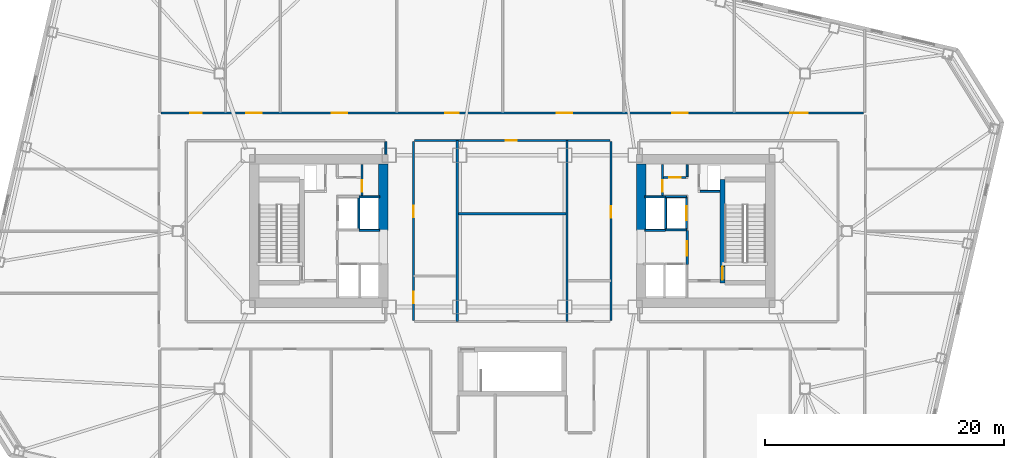
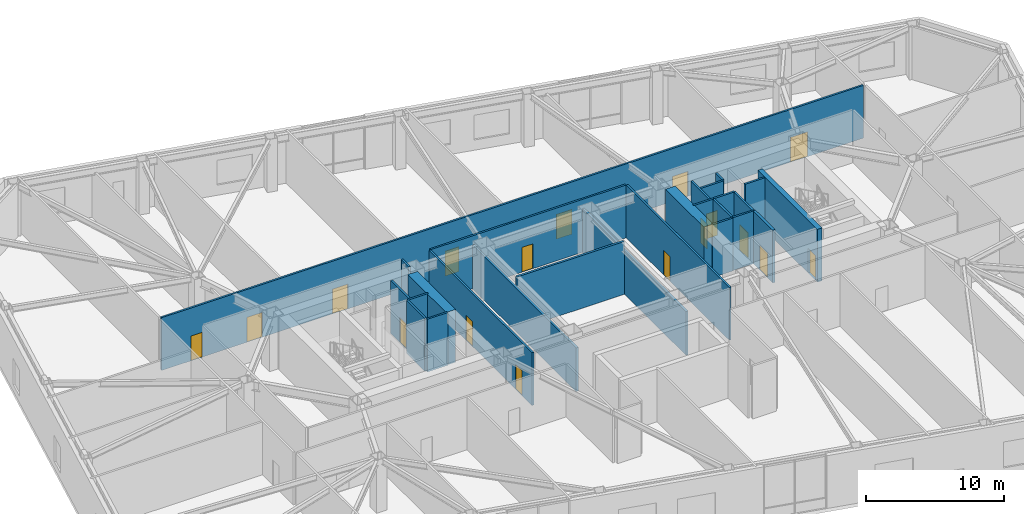
# One storey, part 12 of 19: 26 walls, 17 doors, 17 openings.
"""IFC4 building model written with IfcOpenShell, lengths in metres."""

from ifc_helpers import new_model, si_unit, direction, frame, frame_2d, origin, place, context, subcontext, project, spatial, rectangle, extrude, material, layer, layer_set, type_object, element, fill, save


model = new_model("IFC4")

# Units and contexts
model_context = context("Model", 3, precision=1e-05, world=origin(), true_north=direction((0.0, 1.0)))
body_context = subcontext(model_context, "Body", "Model", "MODEL_VIEW")
ifc_project = project(units=[si_unit("LENGTHUNIT", "METRE"), si_unit("AREAUNIT", "SQUARE_METRE"), si_unit("VOLUMEUNIT", "CUBIC_METRE"), si_unit("PLANEANGLEUNIT", "RADIAN"), si_unit("MASSUNIT", "GRAM", prefix="KILO")], contexts=[model_context])

# Site, building, storey
site_placement = place(None, origin())
site = spatial("IfcSite", under=ifc_project, at=site_placement, CompositionType="ELEMENT")
building_placement = place(site_placement, origin())
building = spatial("IfcBuilding", under=site, at=building_placement, Name="Tavrogorsk Clinical Tower", CompositionType="ELEMENT")
storey_placement = place(building_placement, frame((0.0, 0.0, 28.39990234375)))
storey = spatial("IfcBuildingStorey", under=building, at=storey_placement, Name="L05", CompositionType="ELEMENT", Elevation=28.39990234375)

# Wall, opening, door
ifc_material_1 = material(Name="Concrete B60", Category="concrete")
ifc_layer_1 = layer(ifc_material_1, 0.199951171875)
ifc_layer_set_1 = layer_set([ifc_layer_1], Name="Concrete B60")
wall_type_1 = type_object("IfcWallType", Name="CoreFireWall_200", PredefinedType="SOLIDWALL", material=ifc_layer_set_1)
wall_1_placement = place(storey_placement, frame((14.639892578125, -2.780029296875, 0.0), z_axis=(0.0, 0.0, 1.0), x_axis=(0.0, 1.0, 0.0)))
wall_1 = element("IfcWall", 1, at=wall_1_placement, inside=storey, type_object=wall_type_1, Name="L05 Core East Firefighting Lobby Fire Wall", PredefinedType="SOLIDWALL", context=body_context, shape_type="SweptSolid", body=[
    extrude(rectangle(XDim=2.820068359375, YDim=0.199951171875, at=frame_2d((1.41015625, 0.0))), origin(), (0.0, 0.0, 1.0), 4.68017578125),
])
opening_1_placement = place(wall_1_placement, frame((0.72998046875, 0.0, 0.0)))
opening_1 = element("IfcOpeningElement", 2, at=opening_1_placement, cuts=wall_1, Name="Opening FD-01", PredefinedType="OPENING", context=body_context, shape_type="SweptSolid", body=[
    extrude(rectangle(XDim=1.199951171875, YDim=2.199951171875, at=frame_2d((0.60009765625, 1.10009765625))), frame((0.0, 0.10986328125, 0.0), z_axis=(0.0, -1.0, 0.0), x_axis=(1.0, 0.0, 0.0)), (0.0, 0.0, 1.0), 0.219970703125),
])
ifc_material_2 = material(Name="Galvanised steel fire-rated door assembly", Category="steel")
door_type_1 = type_object("IfcDoorType", Name="FireDoor_FD01_1200", OperationType="NOTDEFINED", PredefinedType="DOOR", material=ifc_material_2)
door_1_placement = place(opening_1_placement, origin())
door_1 = element("IfcDoor", 3, at=door_1_placement, inside=storey, type_object=door_type_1, Name="L05 Core East Firefighting Lobby Entry Door", OperationType="SINGLE_SWING_RIGHT", OverallHeight=2.199951171875, OverallWidth=1.199951171875, PredefinedType="DOOR", context=body_context, shape_type="SweptSolid", body=[
    extrude(rectangle(XDim=1.199951171875, YDim=2.199951171875, at=frame_2d((0.60009765625, 1.10009765625))), frame((0.0, 0.02490234375, 0.0), z_axis=(0.0, -1.0, 0.0), x_axis=(1.0, 0.0, 0.0)), (0.0, 0.0, 1.0), 0.050048828125),
])
fill(opening_1, door_1)

ifc_material_3 = material(Name="Lightweight concrete blockwork B15", Category="masonry")
ifc_layer_2 = layer(ifc_material_3, 0.159912109375)
ifc_layer_set_2 = layer_set([ifc_layer_2], Name="Lightweight concrete blockwork B15")
wall_type_2 = type_object("IfcWallType", Name="PartitionWall_160", PredefinedType="PARTITIONING", material=ifc_layer_set_2)
wall_2_placement = place(storey_placement, frame((-12.580078125, 2.9599609375, 0.0), z_axis=(0.0, 0.0, 1.0), x_axis=(0.0, 1.0, 0.0)))
wall_2 = element("IfcWall", 4, at=wall_2_placement, inside=storey, type_object=wall_type_2, Name="L05 Core West Linen Closet Wall", PredefinedType="PARTITIONING", context=body_context, shape_type="SweptSolid", body=[
    extrude(rectangle(XDim=2.60009765625, YDim=0.159912109375, at=frame_2d((1.300048828125, 0.0))), origin(), (0.0, 0.0, 1.0), 4.68017578125),
])
opening_2_placement = place(wall_2_placement, frame((0.35009765625, 0.0, 0.0)))
opening_2 = element("IfcOpeningElement", 5, at=opening_2_placement, cuts=wall_2, Name="Opening ID-02", PredefinedType="OPENING", context=body_context, shape_type="SweptSolid", body=[
    extrude(rectangle(XDim=0.949951171875, YDim=2.199951171875, at=frame_2d((0.47509765625, 1.10009765625))), frame((0.0, 0.08984375, 0.0), z_axis=(0.0, -1.0, 0.0), x_axis=(1.0, 0.0, 0.0)), (0.0, 0.0, 1.0), 0.179931640625),
])
ifc_material_4 = material(Name="Laminated timber leaf on aluminium frame", Category="wood")
door_type_2 = type_object("IfcDoorType", Name="InteriorDoor_ID02_950", OperationType="NOTDEFINED", PredefinedType="DOOR", material=ifc_material_4)
door_2_placement = place(opening_2_placement, origin())
door_2 = element("IfcDoor", 6, at=door_2_placement, inside=storey, type_object=door_type_2, Name="L05 Core West Linen Closet Door", OperationType="SINGLE_SWING_LEFT", OverallHeight=2.199951171875, OverallWidth=0.949951171875, PredefinedType="DOOR", context=body_context, shape_type="SweptSolid", body=[
    extrude(rectangle(XDim=0.949951171875, YDim=2.199951171875, at=frame_2d((0.47509765625, 1.10009765625))), frame((0.0, 0.02490234375, 0.0), z_axis=(0.0, -1.0, 0.0), x_axis=(1.0, 0.0, 0.0)), (0.0, 0.0, 1.0), 0.050048828125),
])
fill(opening_2, door_2)

wall_3_placement = place(storey_placement, frame((12.580078125, 2.9599609375, 0.0), z_axis=(0.0, 0.0, 1.0), x_axis=(0.0, 1.0, 0.0)))
wall_3 = element("IfcWall", 7, at=wall_3_placement, inside=storey, type_object=wall_type_2, Name="L05 Core East Linen Closet Wall", PredefinedType="PARTITIONING", context=body_context, shape_type="SweptSolid", body=[
    extrude(rectangle(XDim=2.60009765625, YDim=0.159912109375, at=frame_2d((1.300048828125, 0.0))), origin(), (0.0, 0.0, 1.0), 4.68017578125),
])
opening_3_placement = place(wall_3_placement, frame((0.35009765625, 0.0, 0.0)))
opening_3 = element("IfcOpeningElement", 8, at=opening_3_placement, cuts=wall_3, Name="Opening ID-02", PredefinedType="OPENING", context=body_context, shape_type="SweptSolid", body=[
    extrude(rectangle(XDim=0.949951171875, YDim=2.199951171875, at=frame_2d((0.47509765625, 1.10009765625))), frame((0.0, 0.08984375, 0.0), z_axis=(0.0, -1.0, 0.0), x_axis=(1.0, 0.0, 0.0)), (0.0, 0.0, 1.0), 0.179931640625),
])
door_3_placement = place(opening_3_placement, origin())
door_3 = element("IfcDoor", 9, at=door_3_placement, inside=storey, type_object=door_type_2, Name="L05 Core East Linen Closet Door", OperationType="SINGLE_SWING_RIGHT", OverallHeight=2.199951171875, OverallWidth=0.949951171875, PredefinedType="DOOR", context=body_context, shape_type="SweptSolid", body=[
    extrude(rectangle(XDim=0.949951171875, YDim=2.199951171875, at=frame_2d((0.47509765625, 1.10009765625))), frame((0.0, 0.02490234375, 0.0), z_axis=(0.0, -1.0, 0.0), x_axis=(1.0, 0.0, 0.0)), (0.0, 0.0, 1.0), 0.050048828125),
])
fill(opening_3, door_3)

wall_4_placement = place(storey_placement, frame((12.6650390625, 4.47998046875, 0.0), z_axis=(0.0, 0.0, 1.0), x_axis=(1.0, 0.0, 0.0)))
wall_4 = element("IfcWall", 10, at=wall_4_placement, inside=storey, type_object=wall_type_2, Name="L05 Core East Housekeeping South Wall", PredefinedType="PARTITIONING", context=body_context, shape_type="SweptSolid", body=[
    extrude(rectangle(XDim=1.889892578125, YDim=0.159912109375, at=frame_2d((0.94482421875, 0.0))), origin(), (0.0, 0.0, 1.0), 4.68017578125),
])
opening_4_placement = place(wall_4_placement, frame((0.5, 0.0, 0.0)))
opening_4 = element("IfcOpeningElement", 11, at=opening_4_placement, cuts=wall_4, Name="Opening ID-02", PredefinedType="OPENING", context=body_context, shape_type="SweptSolid", body=[
    extrude(rectangle(XDim=0.949951171875, YDim=2.199951171875, at=frame_2d((0.47509765625, 1.10009765625))), frame((0.0, 0.08984375, 0.0), z_axis=(0.0, -1.0, 0.0), x_axis=(1.0, 0.0, 0.0)), (0.0, 0.0, 1.0), 0.179931640625),
])
door_4_placement = place(opening_4_placement, origin())
door_4 = element("IfcDoor", 12, at=door_4_placement, inside=storey, type_object=door_type_2, Name="L05 Core East Housekeeping Closet Door", OperationType="SINGLE_SWING_LEFT", OverallHeight=2.199951171875, OverallWidth=0.949951171875, PredefinedType="DOOR", context=body_context, shape_type="SweptSolid", body=[
    extrude(rectangle(XDim=0.949951171875, YDim=2.199951171875, at=frame_2d((0.47509765625, 1.10009765625))), frame((0.0, 0.02490234375, 0.0), z_axis=(0.0, -1.0, 0.0), x_axis=(1.0, 0.0, 0.0)), (0.0, 0.0, 1.0), 0.050048828125),
])
fill(opening_4, door_4)

# Wall
wall_5_placement = place(storey_placement, frame((14.639892578125, 4.56494140625, 0.0), z_axis=(0.0, 0.0, 1.0), x_axis=(0.0, 1.0, 0.0)))
element("IfcWall", 13, at=wall_5_placement, inside=storey, type_object=wall_type_2, Name="L05 Core East Housekeeping East Wall", PredefinedType="PARTITIONING", context=body_context, shape_type="SweptSolid", body=[
    extrude(rectangle(XDim=0.9951171875, YDim=0.159912109375, at=frame_2d((0.49755859375, 0.0))), origin(), (0.0, 0.0, 1.0), 4.68017578125),
])

# Wall, openings, doors
wall_6_placement = place(storey_placement, frame((-29.4150390625, 9.8798828125, 0.0), z_axis=(0.0, 0.0, 1.0), x_axis=(1.0, 0.0, 0.0)))
wall_6 = element("IfcWall", 14, at=wall_6_placement, inside=storey, type_object=wall_type_2, Name="L05 Corridor Partition 02", PredefinedType="PARTITIONING", context=body_context, shape_type="SweptSolid", body=[
    extrude(rectangle(XDim=58.830078125, YDim=0.159912109375, at=frame_2d((29.4150390625, 0.0))), origin(), (0.0, 0.0, 1.0), 4.68017578125),
])
opening_5_placement = place(wall_6_placement, frame((2.468994140625, 0.0, 0.0)))
opening_5 = element("IfcOpeningElement", 15, at=opening_5_placement, cuts=wall_6, Name="Opening ID-02", PredefinedType="OPENING", context=body_context, shape_type="SweptSolid", body=[
    extrude(rectangle(XDim=0.949951171875, YDim=2.199951171875, at=frame_2d((0.47509765625, 1.10009765625))), frame((0.0, 0.08984375, 0.0), z_axis=(0.0, -1.0, 0.0), x_axis=(1.0, 0.0, 0.0)), (0.0, 0.0, 1.0), 0.179931640625),
])
opening_6_placement = place(wall_6_placement, frame((7.14990234375, 0.0, 0.0)))
opening_6 = element("IfcOpeningElement", 16, at=opening_6_placement, cuts=wall_6, Name="Opening ID-01", PredefinedType="OPENING", context=body_context, shape_type="SweptSolid", body=[
    extrude(rectangle(XDim=1.300048828125, YDim=2.199951171875, at=frame_2d((0.64990234375, 1.10009765625))), frame((0.0, 0.08984375, 0.0), z_axis=(0.0, -1.0, 0.0), x_axis=(1.0, 0.0, 0.0)), (0.0, 0.0, 1.0), 0.179931640625),
])
opening_7_placement = place(wall_6_placement, frame((14.324951171875, 0.0, 0.0)))
opening_7 = element("IfcOpeningElement", 17, at=opening_7_placement, cuts=wall_6, Name="Opening ID-01", PredefinedType="OPENING", context=body_context, shape_type="SweptSolid", body=[
    extrude(rectangle(XDim=1.300048828125, YDim=2.199951171875, at=frame_2d((0.64990234375, 1.10009765625))), frame((0.0, 0.08984375, 0.0), z_axis=(0.0, -1.0, 0.0), x_axis=(1.0, 0.0, 0.0)), (0.0, 0.0, 1.0), 0.179931640625),
])
opening_8_placement = place(wall_6_placement, frame((23.800048828125, 0.0, 0.0)))
opening_8 = element("IfcOpeningElement", 18, at=opening_8_placement, cuts=wall_6, Name="Opening ID-06", PredefinedType="OPENING", context=body_context, shape_type="SweptSolid", body=[
    extrude(rectangle(XDim=1.14990234375, YDim=2.199951171875, at=frame_2d((0.574951171875, 1.10009765625))), frame((0.0, 0.08984375, 0.0), z_axis=(0.0, -1.0, 0.0), x_axis=(1.0, 0.0, 0.0)), (0.0, 0.0, 1.0), 0.179931640625),
])
opening_9_placement = place(wall_6_placement, frame((33.125, 0.0, 0.0)))
opening_9 = element("IfcOpeningElement", 19, at=opening_9_placement, cuts=wall_6, Name="Opening ID-01", PredefinedType="OPENING", context=body_context, shape_type="SweptSolid", body=[
    extrude(rectangle(XDim=1.300048828125, YDim=2.199951171875, at=frame_2d((0.64990234375, 1.10009765625))), frame((0.0, 0.08984375, 0.0), z_axis=(0.0, -1.0, 0.0), x_axis=(1.0, 0.0, 0.0)), (0.0, 0.0, 1.0), 0.179931640625),
])
opening_10_placement = place(wall_6_placement, frame((42.824951171875, 0.0, 0.0)))
opening_10 = element("IfcOpeningElement", 20, at=opening_10_placement, cuts=wall_6, Name="Opening ID-01", PredefinedType="OPENING", context=body_context, shape_type="SweptSolid", body=[
    extrude(rectangle(XDim=1.300048828125, YDim=2.199951171875, at=frame_2d((0.64990234375, 1.10009765625))), frame((0.0, 0.08984375, 0.0), z_axis=(0.0, -1.0, 0.0), x_axis=(1.0, 0.0, 0.0)), (0.0, 0.0, 1.0), 0.179931640625),
])
opening_11_placement = place(wall_6_placement, frame((52.705810546875, 0.0, 0.0)))
opening_11 = element("IfcOpeningElement", 21, at=opening_11_placement, cuts=wall_6, Name="Opening ID-05", PredefinedType="OPENING", context=body_context, shape_type="SweptSolid", body=[
    extrude(rectangle(XDim=1.449951171875, YDim=2.199951171875, at=frame_2d((0.72509765625, 1.10009765625))), frame((0.0, 0.08984375, 0.0), z_axis=(0.0, -1.0, 0.0), x_axis=(1.0, 0.0, 0.0)), (0.0, 0.0, 1.0), 0.179931640625),
])
ifc_material_5 = material(Name="Antibacterial HPL bariatric ward double door")
door_type_3 = type_object("IfcDoorType", Name="DoubleWardDoor_ID05_1450", OperationType="DOUBLE_SWING_LEFT", PredefinedType="DOOR", material=ifc_material_5)
door_5_placement = place(opening_11_placement, origin())
door_5 = element("IfcDoor", 22, at=door_5_placement, inside=storey, type_object=door_type_3, Name="L05 North Surgical Intensive Care Unit (ICU) 04 Door", OperationType="DOUBLE_SWING_LEFT", OverallHeight=2.199951171875, OverallWidth=1.449951171875, PredefinedType="DOOR", context=body_context, shape_type="SweptSolid", body=[
    extrude(rectangle(XDim=1.449951171875, YDim=2.199951171875, at=frame_2d((0.72509765625, 1.10009765625))), frame((0.0, 0.02490234375, 0.0), z_axis=(0.0, -1.0, 0.0), x_axis=(1.0, 0.0, 0.0)), (0.0, 0.0, 1.0), 0.050048828125),
])
fill(opening_11, door_5)
door_6_placement = place(opening_5_placement, origin())
door_6 = element("IfcDoor", 23, at=door_6_placement, inside=storey, type_object=door_type_2, Name="L05 North ICU Family Quiet Lounge 01A Door", OperationType="SINGLE_SWING_LEFT", OverallHeight=2.199951171875, OverallWidth=0.949951171875, PredefinedType="DOOR", context=body_context, shape_type="SweptSolid", body=[
    extrude(rectangle(XDim=0.949951171875, YDim=2.199951171875, at=frame_2d((0.47509765625, 1.10009765625))), frame((0.0, 0.02490234375, 0.0), z_axis=(0.0, -1.0, 0.0), x_axis=(1.0, 0.0, 0.0)), (0.0, 0.0, 1.0), 0.050048828125),
])
fill(opening_5, door_6)
ifc_material_6 = material(Name="Antibacterial HPL procedure door on aluminium frame", Category="aluminium")
door_type_4 = type_object("IfcDoorType", Name="LabDoor_ID06_1150", OperationType="NOTDEFINED", PredefinedType="DOOR", material=ifc_material_6)
door_7_placement = place(opening_8_placement, origin())
door_7 = element("IfcDoor", 24, at=door_7_placement, inside=storey, type_object=door_type_4, Name="L05 North ICU Family Quiet Lounge 02B Door", OperationType="SINGLE_SWING_RIGHT", OverallHeight=2.199951171875, OverallWidth=1.14990234375, PredefinedType="DOOR", context=body_context, shape_type="SweptSolid", body=[
    extrude(rectangle(XDim=1.14990234375, YDim=2.199951171875, at=frame_2d((0.574951171875, 1.10009765625))), frame((0.0, 0.02490234375, 0.0), z_axis=(0.0, -1.0, 0.0), x_axis=(1.0, 0.0, 0.0)), (0.0, 0.0, 1.0), 0.050048828125),
])
fill(opening_8, door_7)
ifc_material_7 = material(Name="Antibacterial HPL medical leaf on aluminium frame", Category="aluminium")
door_type_5 = type_object("IfcDoorType", Name="WardBedDoor_ID01_1300", OperationType="NOTDEFINED", PredefinedType="DOOR", material=ifc_material_7)
door_8_placement = place(opening_6_placement, origin())
door_8 = element("IfcDoor", 25, at=door_8_placement, inside=storey, type_object=door_type_5, Name="L05 North Surgical Intensive Care Unit (ICU) 01B Door", OperationType="SINGLE_SWING_RIGHT", OverallHeight=2.199951171875, OverallWidth=1.300048828125, PredefinedType="DOOR", context=body_context, shape_type="SweptSolid", body=[
    extrude(rectangle(XDim=1.300048828125, YDim=2.199951171875, at=frame_2d((0.64990234375, 1.10009765625))), frame((0.0, 0.02490234375, 0.0), z_axis=(0.0, -1.0, 0.0), x_axis=(1.0, 0.0, 0.0)), (0.0, 0.0, 1.0), 0.050048828125),
])
fill(opening_6, door_8)
door_9_placement = place(opening_7_placement, origin())
door_9 = element("IfcDoor", 26, at=door_9_placement, inside=storey, type_object=door_type_5, Name="L05 North High-Dependency Step-Down Ward 02A Door", OperationType="SINGLE_SWING_LEFT", OverallHeight=2.199951171875, OverallWidth=1.300048828125, PredefinedType="DOOR", context=body_context, shape_type="SweptSolid", body=[
    extrude(rectangle(XDim=1.300048828125, YDim=2.199951171875, at=frame_2d((0.64990234375, 1.10009765625))), frame((0.0, 0.02490234375, 0.0), z_axis=(0.0, -1.0, 0.0), x_axis=(1.0, 0.0, 0.0)), (0.0, 0.0, 1.0), 0.050048828125),
])
fill(opening_7, door_9)
door_10_placement = place(opening_9_placement, origin())
door_10 = element("IfcDoor", 27, at=door_10_placement, inside=storey, type_object=door_type_5, Name="L05 North Critical Care Isolation Ward 03A Door", OperationType="SINGLE_SWING_LEFT", OverallHeight=2.199951171875, OverallWidth=1.300048828125, PredefinedType="DOOR", context=body_context, shape_type="SweptSolid", body=[
    extrude(rectangle(XDim=1.300048828125, YDim=2.199951171875, at=frame_2d((0.64990234375, 1.10009765625))), frame((0.0, 0.02490234375, 0.0), z_axis=(0.0, -1.0, 0.0), x_axis=(1.0, 0.0, 0.0)), (0.0, 0.0, 1.0), 0.050048828125),
])
fill(opening_9, door_10)
door_11_placement = place(opening_10_placement, origin())
door_11 = element("IfcDoor", 28, at=door_11_placement, inside=storey, type_object=door_type_5, Name="L05 North High-Dependency Step-Down Ward 03B Door", OperationType="SINGLE_SWING_RIGHT", OverallHeight=2.199951171875, OverallWidth=1.300048828125, PredefinedType="DOOR", context=body_context, shape_type="SweptSolid", body=[
    extrude(rectangle(XDim=1.300048828125, YDim=2.199951171875, at=frame_2d((0.64990234375, 1.10009765625))), frame((0.0, 0.02490234375, 0.0), z_axis=(0.0, -1.0, 0.0), x_axis=(1.0, 0.0, 0.0)), (0.0, 0.0, 1.0), 0.050048828125),
])
fill(opening_10, door_11)

# Wall, opening, door
wall_7_placement = place(storey_placement, frame((8.18505859375, 7.570068359375, 0.0), z_axis=(0.0, 0.0, 1.0), x_axis=(-1.0, 0.0, 0.0)))
wall_7 = element("IfcWall", 29, at=wall_7_placement, inside=storey, type_object=wall_type_2, Name="L05 Corridor Partition 17", PredefinedType="PARTITIONING", context=body_context, shape_type="SweptSolid", body=[
    extrude(rectangle(XDim=16.3701171875, YDim=0.159912109375, at=frame_2d((8.18505859375, 0.0))), origin(), (0.0, 0.0, 1.0), 4.68017578125),
])
opening_12_placement = place(wall_7_placement, frame((7.794921875, 0.0, 0.0)))
opening_12 = element("IfcOpeningElement", 30, at=opening_12_placement, cuts=wall_7, Name="Opening ID-02", PredefinedType="OPENING", context=body_context, shape_type="SweptSolid", body=[
    extrude(rectangle(XDim=0.949951171875, YDim=2.199951171875, at=frame_2d((0.47509765625, 1.10009765625))), frame((0.0, 0.08984375, 0.0), z_axis=(0.0, -1.0, 0.0), x_axis=(1.0, 0.0, 0.0)), (0.0, 0.0, 1.0), 0.179931640625),
])
door_12_placement = place(opening_12_placement, origin())
door_12 = element("IfcDoor", 31, at=door_12_placement, inside=storey, type_object=door_type_2, Name="L05 Nurses' Station & Triage Hub Door", OperationType="SINGLE_SWING_RIGHT", OverallHeight=2.199951171875, OverallWidth=0.949951171875, PredefinedType="DOOR", context=body_context, shape_type="SweptSolid", body=[
    extrude(rectangle(XDim=0.949951171875, YDim=2.199951171875, at=frame_2d((0.47509765625, 1.10009765625))), frame((0.0, 0.02490234375, 0.0), z_axis=(0.0, -1.0, 0.0), x_axis=(1.0, 0.0, 0.0)), (0.0, 0.0, 1.0), 0.050048828125),
])
fill(opening_12, door_12)

# Wall, openings, doors
wall_8_placement = place(storey_placement, frame((-8.27001953125, 7.485107421875, 0.0), z_axis=(0.0, 0.0, 1.0), x_axis=(0.0, -1.0, 0.0)))
wall_8 = element("IfcWall", 32, at=wall_8_placement, inside=storey, type_object=wall_type_2, Name="L05 Corridor Partition 18", PredefinedType="PARTITIONING", context=body_context, shape_type="SweptSolid", body=[
    extrude(rectangle(XDim=14.97021484375, YDim=0.159912109375, at=frame_2d((7.485107421875, 0.0))), origin(), (0.0, 0.0, 1.0), 4.68017578125),
])
opening_13_placement = place(wall_8_placement, frame((12.560791015625, 0.0, 0.0)))
opening_13 = element("IfcOpeningElement", 33, at=opening_13_placement, cuts=wall_8, Name="Opening ID-02", PredefinedType="OPENING", context=body_context, shape_type="SweptSolid", body=[
    extrude(rectangle(XDim=0.949951171875, YDim=2.199951171875, at=frame_2d((0.47509765625, 1.10009765625))), frame((0.0, 0.08984375, 0.0), z_axis=(0.0, -1.0, 0.0), x_axis=(1.0, 0.0, 0.0)), (0.0, 0.0, 1.0), 0.179931640625),
])
opening_14_placement = place(wall_8_placement, frame((5.379150390625, 0.0, 0.0)))
opening_14 = element("IfcOpeningElement", 34, at=opening_14_placement, cuts=wall_8, Name="Opening ID-02", PredefinedType="OPENING", context=body_context, shape_type="SweptSolid", body=[
    extrude(rectangle(XDim=0.949951171875, YDim=2.199951171875, at=frame_2d((0.47509765625, 1.10009765625))), frame((0.0, 0.08984375, 0.0), z_axis=(0.0, -1.0, 0.0), x_axis=(1.0, 0.0, 0.0)), (0.0, 0.0, 1.0), 0.179931640625),
])
door_13_placement = place(opening_13_placement, origin())
door_13 = element("IfcDoor", 35, at=door_13_placement, inside=storey, type_object=door_type_2, Name="L05 Accessible Patient Lavatory Door", OperationType="SINGLE_SWING_LEFT", OverallHeight=2.199951171875, OverallWidth=0.949951171875, PredefinedType="DOOR", context=body_context, shape_type="SweptSolid", body=[
    extrude(rectangle(XDim=0.949951171875, YDim=2.199951171875, at=frame_2d((0.47509765625, 1.10009765625))), frame((0.0, 0.02490234375, 0.0), z_axis=(0.0, -1.0, 0.0), x_axis=(1.0, 0.0, 0.0)), (0.0, 0.0, 1.0), 0.050048828125),
])
fill(opening_13, door_13)
door_14_placement = place(opening_14_placement, origin())
door_14 = element("IfcDoor", 36, at=door_14_placement, inside=storey, type_object=door_type_2, Name="L05 Ward Nourishment Pantry Door", OperationType="SINGLE_SWING_RIGHT", OverallHeight=2.199951171875, OverallWidth=0.949951171875, PredefinedType="DOOR", context=body_context, shape_type="SweptSolid", body=[
    extrude(rectangle(XDim=0.949951171875, YDim=2.199951171875, at=frame_2d((0.47509765625, 1.10009765625))), frame((0.0, 0.02490234375, 0.0), z_axis=(0.0, -1.0, 0.0), x_axis=(1.0, 0.0, 0.0)), (0.0, 0.0, 1.0), 0.050048828125),
])
fill(opening_14, door_14)

# Wall, opening, door
wall_9_placement = place(storey_placement, frame((8.27001953125, -7.485107421875, 0.0), z_axis=(0.0, 0.0, 1.0), x_axis=(0.0, 1.0, 0.0)))
wall_9 = element("IfcWall", 37, at=wall_9_placement, inside=storey, type_object=wall_type_2, Name="L05 Corridor Partition 20", PredefinedType="PARTITIONING", context=body_context, shape_type="SweptSolid", body=[
    extrude(rectangle(XDim=14.97021484375, YDim=0.159912109375, at=frame_2d((7.485107421875, 0.0))), origin(), (0.0, 0.0, 1.0), 4.68017578125),
])
opening_15_placement = place(wall_9_placement, frame((8.61083984375, 0.0, 0.0)))
opening_15 = element("IfcOpeningElement", 38, at=opening_15_placement, cuts=wall_9, Name="Opening ID-02", PredefinedType="OPENING", context=body_context, shape_type="SweptSolid", body=[
    extrude(rectangle(XDim=0.949951171875, YDim=2.199951171875, at=frame_2d((0.47509765625, 1.10009765625))), frame((0.0, 0.08984375, 0.0), z_axis=(0.0, -1.0, 0.0), x_axis=(1.0, 0.0, 0.0)), (0.0, 0.0, 1.0), 0.179931640625),
])
door_15_placement = place(opening_15_placement, origin())
door_15 = element("IfcDoor", 39, at=door_15_placement, inside=storey, type_object=door_type_2, Name="L05 Attending Physician Office Door", OperationType="SINGLE_SWING_RIGHT", OverallHeight=2.199951171875, OverallWidth=0.949951171875, PredefinedType="DOOR", context=body_context, shape_type="SweptSolid", body=[
    extrude(rectangle(XDim=0.949951171875, YDim=2.199951171875, at=frame_2d((0.47509765625, 1.10009765625))), frame((0.0, 0.02490234375, 0.0), z_axis=(0.0, -1.0, 0.0), x_axis=(1.0, 0.0, 0.0)), (0.0, 0.0, 1.0), 0.050048828125),
])
fill(opening_15, door_15)

# Walls
wall_10_placement = place(storey_placement, frame((-10.580078125, 6.419921875, 0.0), z_axis=(0.0, 0.0, 1.0), x_axis=(0.0, 1.0, 0.0)))
element("IfcWall", 40, at=wall_10_placement, inside=storey, type_object=wall_type_2, Name="L05 Corridor Partition 22", PredefinedType="PARTITIONING", context=body_context, shape_type="SweptSolid", body=[
    extrude(rectangle(XDim=1.065185546875, YDim=0.159912109375, at=frame_2d((0.53271484375, 0.0))), origin(), (0.0, 0.0, 1.0), 4.68017578125),
])
ifc_material_8 = material(Name="Lightweight concrete blockwork B20", Category="masonry")
ifc_layer_3 = layer(ifc_material_8, 0.179931640625)
ifc_layer_set_3 = layer_set([ifc_layer_3], Name="Lightweight concrete blockwork B20")
wall_type_3 = type_object("IfcWallType", Name="PartitionWall_180", PredefinedType="PARTITIONING", material=ifc_layer_set_3)
for number, where, z_axis, x_axis, name in (
    (41, (-4.60009765625, -7.56494140625, 0.0), (0.0, 0.0, 1.0), (0.0, 1.0, 0.0), "L05 Central Spine Partition 1"),
    (42, (4.60009765625, -7.56494140625, 0.0), (0.0, 0.0, 1.0), (0.0, 1.0, 0.0), "L05 Central Spine Partition 2"),
):
    element("IfcWall", number, at=place(storey_placement, frame(where, z_axis=z_axis, x_axis=x_axis)), inside=storey, type_object=wall_type_3, Name=name, PredefinedType="PARTITIONING", context=body_context, shape_type="SweptSolid", body=[
        extrude(rectangle(XDim=15.1298828125, YDim=0.179931640625, at=frame_2d((7.56494140625, 0.0))), origin(), (0.0, 0.0, 1.0), 3.875),
    ])
wall_11_placement = place(storey_placement, frame((-4.5048828125, 1.449951171875, 0.0), z_axis=(0.0, 0.0, 1.0), x_axis=(1.0, 0.0, 0.0)))
element("IfcWall", 43, at=wall_11_placement, inside=storey, type_object=wall_type_3, Name="L05 Central Spine Partition 3", PredefinedType="PARTITIONING", context=body_context, shape_type="SweptSolid", body=[
    extrude(rectangle(XDim=9.009765625, YDim=0.179931640625, at=frame_2d((4.5048828125, 0.0))), origin(), (0.0, 0.0, 1.0), 4.68017578125),
])
ifc_material_9 = material(Name="Lightweight concrete blockwork B25", Category="masonry")
ifc_layer_4 = layer(ifc_material_9, 0.159912109375)
ifc_layer_set_4 = layer_set([ifc_layer_4], Name="Lightweight concrete blockwork B25")
wall_type_4 = type_object("IfcWallType", Name="ShaftWall_160", PredefinedType="PARTITIONING", material=ifc_layer_set_4)
wall_12_placement = place(storey_placement, frame((-12.840087890625, 0.179931640625, 0.0), z_axis=(0.0, 0.0, 1.0), x_axis=(0.0, 1.0, 0.0)))
element("IfcWall", 44, at=wall_12_placement, inside=storey, type_object=wall_type_4, Name="L05 FFL-W Shaft Back Wall", PredefinedType="PARTITIONING", context=body_context, shape_type="SweptSolid", body=[
    extrude(rectangle(XDim=2.6201171875, YDim=0.159912109375, at=frame_2d((1.31005859375, 0.0))), origin(), (0.0, 0.0, 1.0), 4.68017578125),
])
for number, where, z_axis, x_axis, name in (
    (45, (-12.820068359375, 0.06005859375, 0.0), (0.0, 0.0, 1.0), (1.0, 0.0, 0.0), "L05 LP-H1 High-Zone Lift Portal Wall"),
    (46, (-12.820068359375, 2.860107421875, 0.0), (0.0, 0.0, 1.0), (1.0, 0.0, 0.0), "L05 LP-H1 High-Zone Lift Rear Wall"),
):
    element("IfcWall", number, at=place(storey_placement, frame(where, z_axis=z_axis, x_axis=x_axis)), inside=storey, type_object=wall_type_4, Name=name, PredefinedType="PARTITIONING", context=body_context, shape_type="SweptSolid", body=[
        extrude(rectangle(XDim=1.719970703125, YDim=0.159912109375, at=frame_2d((0.85986328125, 0.0))), origin(), (0.0, 0.0, 1.0), 4.68017578125),
    ])

# Wall, opening, door
wall_13_placement = place(storey_placement, frame((14.60009765625, 0.1201171875, 0.0), z_axis=(0.0, 0.0, 1.0), x_axis=(0.0, 1.0, 0.0)))
wall_13 = element("IfcWall", 47, at=wall_13_placement, inside=storey, type_object=wall_type_4, Name="L05 FFL-E Firefighting Lift Front Wall", PredefinedType="PARTITIONING", context=body_context, shape_type="SweptSolid", body=[
    extrude(rectangle(XDim=2.739990234375, YDim=0.159912109375, at=frame_2d((1.3701171875, 0.0))), origin(), (0.0, 0.0, 1.0), 4.68017578125),
])
opening_16_placement = place(wall_13_placement, frame((0.77001953125, 0.0, 0.0)))
opening_16 = element("IfcOpeningElement", 48, at=opening_16_placement, cuts=wall_13, Name="Opening LD", PredefinedType="OPENING", context=body_context, shape_type="SweptSolid", body=[
    extrude(rectangle(XDim=1.199951171875, YDim=2.199951171875, at=frame_2d((0.60009765625, 1.10009765625))), frame((0.0, 0.08984375, 0.0), z_axis=(0.0, -1.0, 0.0), x_axis=(1.0, 0.0, 0.0)), (0.0, 0.0, 1.0), 0.179931640625),
])
ifc_material_10 = material(Name="Brushed stainless steel AISI 304 sliding doors", Category="steel")
door_type_6 = type_object("IfcDoorType", Name="LiftLandingDoor_LD_1200", OperationType="SLIDING_TO_LEFT", PredefinedType="DOOR", material=ifc_material_10)
door_16_placement = place(opening_16_placement, origin())
door_16 = element("IfcDoor", 49, at=door_16_placement, inside=storey, type_object=door_type_6, Name="L05 FFL-E Sliding Lift Landing Door", OperationType="SLIDING_TO_LEFT", OverallHeight=2.199951171875, OverallWidth=1.199951171875, PredefinedType="DOOR", context=body_context, shape_type="SweptSolid", body=[
    extrude(rectangle(XDim=1.199951171875, YDim=2.199951171875, at=frame_2d((0.60009765625, 1.10009765625))), frame((0.0, 0.02490234375, 0.0), z_axis=(0.0, -1.0, 0.0), x_axis=(1.0, 0.0, 0.0)), (0.0, 0.0, 1.0), 0.050048828125),
])
fill(opening_16, door_16)

# Walls
for number, where, z_axis, x_axis, name in (
    (50, (12.840087890625, 0.10009765625, 0.0), (0.0, 0.0, 1.0), (1.0, 0.0, 0.0), "L05 FFL-E Shaft South Wall"),
    (51, (12.840087890625, 2.8798828125, 0.0), (0.0, 0.0, 1.0), (1.0, 0.0, 0.0), "L05 FFL-E Shaft North Wall"),
):
    element("IfcWall", number, at=place(storey_placement, frame(where, z_axis=z_axis, x_axis=x_axis)), inside=storey, type_object=wall_type_4, Name=name, PredefinedType="PARTITIONING", context=body_context, shape_type="SweptSolid", body=[
        extrude(rectangle(XDim=1.760009765625, YDim=0.159912109375, at=frame_2d((0.8798828125, 0.0))), origin(), (0.0, 0.0, 1.0), 4.68017578125),
    ])
wall_14_placement = place(storey_placement, frame((12.840087890625, 0.179931640625, 0.0), z_axis=(0.0, 0.0, 1.0), x_axis=(0.0, 1.0, 0.0)))
element("IfcWall", 52, at=wall_14_placement, inside=storey, type_object=wall_type_4, Name="L05 FFL-E Shaft Back Wall", PredefinedType="PARTITIONING", context=body_context, shape_type="SweptSolid", body=[
    extrude(rectangle(XDim=2.6201171875, YDim=0.159912109375, at=frame_2d((1.31005859375, 0.0))), origin(), (0.0, 0.0, 1.0), 4.68017578125),
])
for number, where, z_axis, x_axis, name in (
    (53, (11.10009765625, 0.06005859375, 0.0), (0.0, 0.0, 1.0), (1.0, 0.0, 0.0), "L05 LP-H2 High-Zone Lift Portal Wall"),
    (54, (11.10009765625, 2.860107421875, 0.0), (0.0, 0.0, 1.0), (1.0, 0.0, 0.0), "L05 LP-H2 High-Zone Lift Rear Wall"),
):
    element("IfcWall", number, at=place(storey_placement, frame(where, z_axis=z_axis, x_axis=x_axis)), inside=storey, type_object=wall_type_4, Name=name, PredefinedType="PARTITIONING", context=body_context, shape_type="SweptSolid", body=[
        extrude(rectangle(XDim=1.719970703125, YDim=0.159912109375, at=frame_2d((0.85986328125, 0.0))), origin(), (0.0, 0.0, 1.0), 4.68017578125),
    ])
wall_15_placement = place(storey_placement, frame((15.72509765625, 3.320068359375, 0.0), z_axis=(0.0, 0.0, 1.0), x_axis=(1.0, 0.0, 0.0)))
element("IfcWall", 55, at=wall_15_placement, inside=storey, type_object=wall_type_4, Name="L05 Core East Riser South Wall", PredefinedType="PARTITIONING", context=body_context, shape_type="SweptSolid", body=[
    extrude(rectangle(XDim=1.65478515625, YDim=0.159912109375, at=frame_2d((0.827392578125, 0.0))), origin(), (0.0, 0.0, 1.0), 4.68017578125),
])

# Wall, opening, door
ifc_material_11 = material(Name="Concrete B80", Category="concrete")
ifc_layer_5 = layer(ifc_material_11, 0.39990234375)
ifc_layer_set_5 = layer_set([ifc_layer_5], Name="Concrete B80")
wall_type_5 = type_object("IfcWallType", Name="ShearWall_400", PredefinedType="SHEAR", material=ifc_layer_set_5)
wall_16_placement = place(storey_placement, frame((17.60009765625, -4.324951171875, 0.0), z_axis=(0.0, 0.0, 1.0), x_axis=(0.0, 1.0, 0.0)))
wall_16 = element("IfcWall", 56, at=wall_16_placement, inside=storey, type_object=wall_type_5, Name="L05 Core East Stair Shaft Inner Shear Wall", PredefinedType="SHEAR", context=body_context, shape_type="SweptSolid", body=[
    extrude(rectangle(XDim=8.64990234375, YDim=0.39990234375, at=frame_2d((4.324951171875, 0.0))), origin(), (0.0, 0.0, 1.0), 4.68017578125),
])
opening_17_placement = place(wall_16_placement, frame((0.25, 0.0, 0.0)))
opening_17 = element("IfcOpeningElement", 57, at=opening_17_placement, cuts=wall_16, Name="Opening SD-01", PredefinedType="OPENING", context=body_context, shape_type="SweptSolid", body=[
    extrude(rectangle(XDim=1.10009765625, YDim=2.199951171875, at=frame_2d((0.550048828125, 1.10009765625))), frame((0.0, 0.2099609375, 0.0), z_axis=(0.0, -1.0, 0.0), x_axis=(1.0, 0.0, 0.0)), (0.0, 0.0, 1.0), 0.419921875),
])
ifc_material_12 = material(Name="Galvanised steel smoke-tight fire door assembly", Category="steel")
door_type_7 = type_object("IfcDoorType", Name="StairFireDoor_SD01_1100", OperationType="NOTDEFINED", PredefinedType="DOOR", material=ifc_material_12)
door_17_placement = place(opening_17_placement, origin())
door_17 = element("IfcDoor", 58, at=door_17_placement, inside=storey, type_object=door_type_7, Name="L05 ST-E Exit Stair Door", OperationType="SINGLE_SWING_LEFT", OverallHeight=2.199951171875, OverallWidth=1.10009765625, PredefinedType="DOOR", context=body_context, shape_type="SweptSolid", body=[
    extrude(rectangle(XDim=1.10009765625, YDim=2.199951171875, at=frame_2d((0.550048828125, 1.10009765625))), frame((0.0, 0.02490234375, 0.0), z_axis=(0.0, -1.0, 0.0), x_axis=(1.0, 0.0, 0.0)), (0.0, 0.0, 1.0), 0.050048828125),
])
fill(opening_17, door_17)

# Walls
ifc_material_13 = material(Name="Concrete B80", Category="concrete")
ifc_layer_6 = layer(ifc_material_13, 0.800048828125)
ifc_layer_set_6 = layer_set([ifc_layer_6], Name="Concrete B80")
wall_type_6 = type_object("IfcWallType", Name="ShearWall_800", PredefinedType="SHEAR", material=ifc_layer_set_6)
for number, where, z_axis, x_axis, name in (
    (59, (-10.800048828125, 0.050048828125, 0.0), (0.0, 0.0, 1.0), (0.0, 1.0, 0.0), "L05 Core West Inner North Pier"),
    (60, (10.800048828125, 0.050048828125, 0.0), (0.0, 0.0, 1.0), (0.0, 1.0, 0.0), "L05 Core East Inner North Pier"),
):
    element("IfcWall", number, at=place(storey_placement, frame(where, z_axis=z_axis, x_axis=x_axis)), inside=storey, type_object=wall_type_6, Name=name, PredefinedType="SHEAR", context=body_context, shape_type="SweptSolid", body=[
        extrude(rectangle(XDim=5.550048828125, YDim=0.800048828125, at=frame_2d((2.77490234375, 0.0))), origin(), (0.0, 0.0, 1.0), 4.68017578125),
    ])

save(model, "model.ifc")
